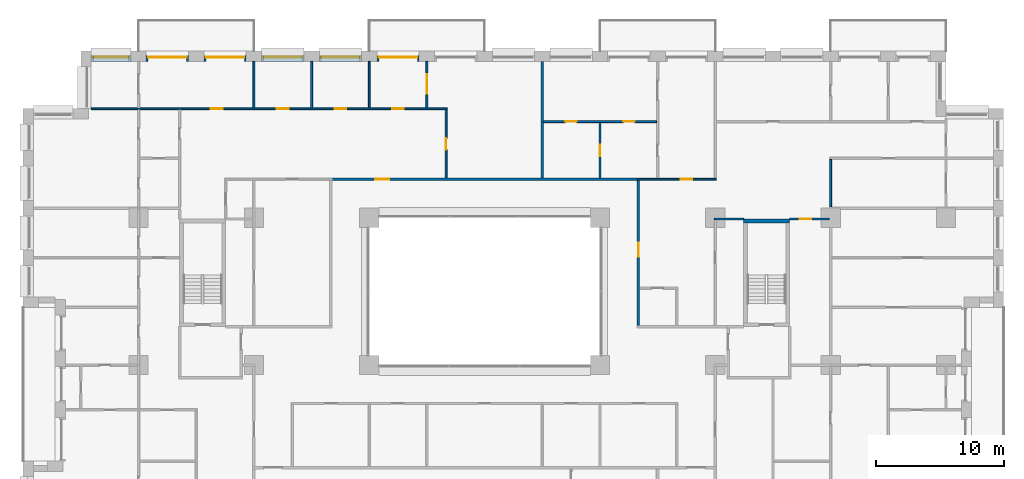
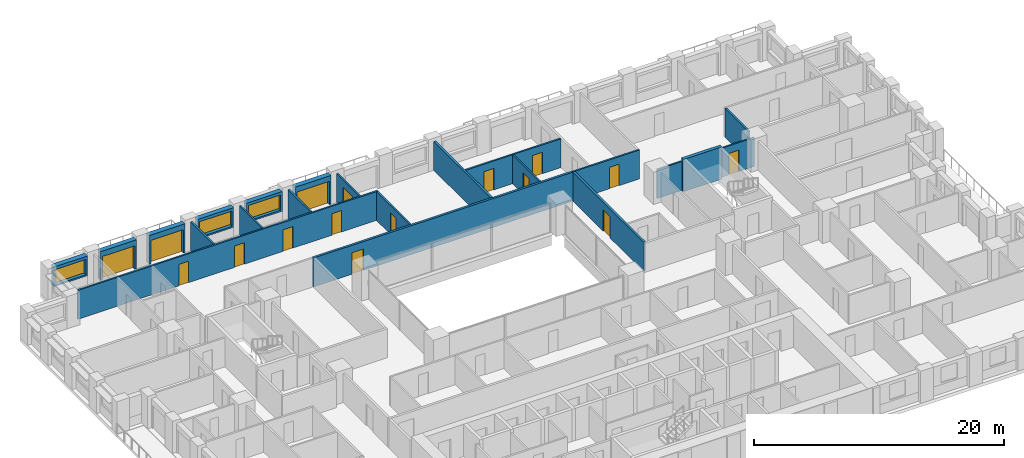
# One storey, part 15 of 20: 22 walls, 16 doors, 3 windows, 19 openings.
"""IFC4 building model written with IfcOpenShell, lengths in metres."""

from ifc_helpers import new_model, si_unit, direction, frame, frame_2d, origin, place, context, subcontext, project, spatial, rectangle, extrude, material, layer, layer_set, type_object, element, fill, save


model = new_model("IFC4")

# Units and contexts
model_context = context("Model", 3, precision=1e-05, world=origin(), true_north=direction((0.0, 1.0)))
body_context = subcontext(model_context, "Body", "Model", "MODEL_VIEW")
ifc_project = project(units=[si_unit("LENGTHUNIT", "METRE"), si_unit("AREAUNIT", "SQUARE_METRE"), si_unit("VOLUMEUNIT", "CUBIC_METRE"), si_unit("PLANEANGLEUNIT", "RADIAN"), si_unit("MASSUNIT", "GRAM", prefix="KILO")], contexts=[model_context])

# Site, building, storey
site_placement = place(None, origin())
site = spatial("IfcSite", under=ifc_project, at=site_placement, CompositionType="ELEMENT")
building_placement = place(site_placement, origin())
building = spatial("IfcBuilding", under=site, at=building_placement, Name="Brigalow Station Residences", CompositionType="ELEMENT")
storey_placement = place(building_placement, frame((0.0, 0.0, 38.39990234375)))
storey = spatial("IfcBuildingStorey", under=building, at=storey_placement, Name="L10", CompositionType="ELEMENT", Elevation=38.39990234375)

# Wall, opening, door
ifc_material_1 = material(Name="Clay brick masonry", Category="masonry")
ifc_layer_1 = layer(ifc_material_1, 0.449951171875)
ifc_layer_set_1 = layer_set([ifc_layer_1], Name="BRICK INFILL WALL 450")
wall_type_1 = type_object("IfcWallType", Name="BRICK INFILL WALL 450", PredefinedType="SOLIDWALL", material=ifc_layer_set_1)
wall_1_placement = place(storey_placement, frame((30.89990234375, 47.925048828125, 0.0), z_axis=(0.0, 0.0, 1.0), x_axis=(-1.0, 0.0, 0.0)))
wall_1 = element("IfcWall", 1, at=wall_1_placement, inside=storey, type_object=wall_type_1, Name="L10/ewall/W-L10-34", PredefinedType="SOLIDWALL", context=body_context, shape_type="SweptSolid", body=[
    extrude(rectangle(XDim=3.2998046875, YDim=0.449951171875, at=frame_2d((1.64990234375, 0.0))), origin(), (0.0, 0.0, 1.0), 2.830078125),
])
opening_1_placement = place(wall_1_placement, frame((0.14990234375, 0.0, 0.0)))
opening_1 = element("IfcOpeningElement", 2, at=opening_1_placement, cuts=wall_1, Name="Opening D-B3000", PredefinedType="OPENING", context=body_context, shape_type="SweptSolid", body=[
    extrude(rectangle(XDim=3.0, YDim=2.300048828125, at=frame_2d((1.5, 1.14990234375))), frame((0.0, 0.23486328125, 0.0), z_axis=(0.0, -1.0, 0.0), x_axis=(1.0, 0.0, 0.0)), (0.0, 0.0, 1.0), 0.469970703125),
])
ifc_material_2 = material(Name="Anodised aluminium frame with double glazing", Category="aluminium")
door_type_1 = type_object("IfcDoorType", Name="BALCONY SLIDING DOOR 3000x2300", OperationType="SLIDING_TO_LEFT", PredefinedType="DOOR", material=ifc_material_2)
door_1_placement = place(opening_1_placement, origin())
door_1 = element("IfcDoor", 3, at=door_1_placement, inside=storey, type_object=door_type_1, Name="L10/balcony-door/W-L10-34", OperationType="SLIDING_TO_LEFT", OverallHeight=2.300048828125, OverallWidth=3.0, PredefinedType="DOOR", context=body_context, shape_type="SweptSolid", body=[
    extrude(rectangle(XDim=3.0, YDim=2.300048828125, at=frame_2d((1.5, 1.14990234375))), frame((0.0, -0.06982421875, 0.0), z_axis=(0.0, -1.0, 0.0), x_axis=(1.0, 0.0, 0.0)), (0.0, 0.0, 1.0), 0.050048828125),
])
fill(opening_1, door_1)

# Wall, opening, window
wall_2_placement = place(storey_placement, frame((26.39990234375, 47.925048828125, 0.900146484375), z_axis=(0.0, 0.0, 1.0), x_axis=(-1.0, 0.0, 0.0)))
wall_2 = element("IfcWall", 4, at=wall_2_placement, inside=storey, type_object=wall_type_1, Name="L10/ewall/W-L10-35", PredefinedType="SOLIDWALL", context=body_context, shape_type="SweptSolid", body=[
    extrude(rectangle(XDim=3.2998046875, YDim=0.449951171875, at=frame_2d((1.64990234375, 0.0))), origin(), (0.0, 0.0, 1.0), 1.929931640625),
])
opening_2_placement = place(wall_2_placement, frame((0.14990234375, 0.0, 0.14990234375)))
opening_2 = element("IfcOpeningElement", 5, at=opening_2_placement, cuts=wall_2, Name="Opening WT-2", PredefinedType="OPENING", context=body_context, shape_type="SweptSolid", body=[
    extrude(rectangle(XDim=3.0, YDim=1.5, at=frame_2d((1.5, 0.75))), frame((0.0, 0.23486328125, 0.0), z_axis=(0.0, -1.0, 0.0), x_axis=(1.0, 0.0, 0.0)), (0.0, 0.0, 1.0), 0.469970703125),
])
ifc_material_3 = material(Name="Anodised aluminium frame with double glazing", Category="aluminium")
window_type_1 = type_object("IfcWindowType", Name="WINDOW 3000x1500", PartitioningType="SINGLE_PANEL", PredefinedType="WINDOW", material=ifc_material_3)
window_1_placement = place(opening_2_placement, origin())
window_1 = element("IfcWindow", 6, at=window_1_placement, inside=storey, type_object=window_type_1, Name="L10/window/W-L10-35", OverallHeight=1.5, OverallWidth=3.0, PartitioningType="SINGLE_PANEL", PredefinedType="WINDOW", context=body_context, shape_type="SweptSolid", body=[
    extrude(rectangle(XDim=3.0, YDim=1.5, at=frame_2d((1.5, 0.75))), frame((0.0, -0.06494140625, 0.0), z_axis=(0.0, -1.0, 0.0), x_axis=(1.0, 0.0, 0.0)), (0.0, 0.0, 1.0), 0.06005859375),
])
fill(opening_2, window_1)

wall_3_placement = place(storey_placement, frame((21.89990234375, 47.925048828125, 0.900146484375), z_axis=(0.0, 0.0, 1.0), x_axis=(-1.0, 0.0, 0.0)))
wall_3 = element("IfcWall", 7, at=wall_3_placement, inside=storey, type_object=wall_type_1, Name="L10/ewall/W-L10-36", PredefinedType="SOLIDWALL", context=body_context, shape_type="SweptSolid", body=[
    extrude(rectangle(XDim=3.2998046875, YDim=0.449951171875, at=frame_2d((1.64990234375, 0.0))), origin(), (0.0, 0.0, 1.0), 1.929931640625),
])
opening_3_placement = place(wall_3_placement, frame((0.14990234375, 0.0, 0.14990234375)))
opening_3 = element("IfcOpeningElement", 8, at=opening_3_placement, cuts=wall_3, Name="Opening WT-2", PredefinedType="OPENING", context=body_context, shape_type="SweptSolid", body=[
    extrude(rectangle(XDim=3.0, YDim=1.5, at=frame_2d((1.5, 0.75))), frame((0.0, 0.23486328125, 0.0), z_axis=(0.0, -1.0, 0.0), x_axis=(1.0, 0.0, 0.0)), (0.0, 0.0, 1.0), 0.469970703125),
])
window_2_placement = place(opening_3_placement, origin())
window_2 = element("IfcWindow", 9, at=window_2_placement, inside=storey, type_object=window_type_1, Name="L10/window/W-L10-36", OverallHeight=1.5, OverallWidth=3.0, PartitioningType="SINGLE_PANEL", PredefinedType="WINDOW", context=body_context, shape_type="SweptSolid", body=[
    extrude(rectangle(XDim=3.0, YDim=1.5, at=frame_2d((1.5, 0.75))), frame((0.0, -0.06494140625, 0.0), z_axis=(0.0, -1.0, 0.0), x_axis=(1.0, 0.0, 0.0)), (0.0, 0.0, 1.0), 0.06005859375),
])
fill(opening_3, window_2)

# Wall, opening, door
wall_4_placement = place(storey_placement, frame((17.39990234375, 47.925048828125, 0.0), z_axis=(0.0, 0.0, 1.0), x_axis=(-1.0, 0.0, 0.0)))
wall_4 = element("IfcWall", 10, at=wall_4_placement, inside=storey, type_object=wall_type_1, Name="L10/ewall/W-L10-37", PredefinedType="SOLIDWALL", context=body_context, shape_type="SweptSolid", body=[
    extrude(rectangle(XDim=3.2998046875, YDim=0.449951171875, at=frame_2d((1.64990234375, 0.0))), origin(), (0.0, 0.0, 1.0), 2.830078125),
])
opening_4_placement = place(wall_4_placement, frame((0.14990234375, 0.0, 0.0)))
opening_4 = element("IfcOpeningElement", 11, at=opening_4_placement, cuts=wall_4, Name="Opening D-B3000", PredefinedType="OPENING", context=body_context, shape_type="SweptSolid", body=[
    extrude(rectangle(XDim=3.0, YDim=2.300048828125, at=frame_2d((1.5, 1.14990234375))), frame((0.0, 0.23486328125, 0.0), z_axis=(0.0, -1.0, 0.0), x_axis=(1.0, 0.0, 0.0)), (0.0, 0.0, 1.0), 0.469970703125),
])
door_2_placement = place(opening_4_placement, origin())
door_2 = element("IfcDoor", 12, at=door_2_placement, inside=storey, type_object=door_type_1, Name="L10/balcony-door/W-L10-37", OperationType="SLIDING_TO_LEFT", OverallHeight=2.300048828125, OverallWidth=3.0, PredefinedType="DOOR", context=body_context, shape_type="SweptSolid", body=[
    extrude(rectangle(XDim=3.0, YDim=2.300048828125, at=frame_2d((1.5, 1.14990234375))), frame((0.0, -0.06982421875, 0.0), z_axis=(0.0, -1.0, 0.0), x_axis=(1.0, 0.0, 0.0)), (0.0, 0.0, 1.0), 0.050048828125),
])
fill(opening_4, door_2)

wall_5_placement = place(storey_placement, frame((12.89990234375, 47.925048828125, 0.0), z_axis=(0.0, 0.0, 1.0), x_axis=(-1.0, 0.0, 0.0)))
wall_5 = element("IfcWall", 13, at=wall_5_placement, inside=storey, type_object=wall_type_1, Name="L10/ewall/W-L10-38", PredefinedType="SOLIDWALL", context=body_context, shape_type="SweptSolid", body=[
    extrude(rectangle(XDim=3.2998046875, YDim=0.449951171875, at=frame_2d((1.64990234375, 0.0))), origin(), (0.0, 0.0, 1.0), 2.830078125),
])
opening_5_placement = place(wall_5_placement, frame((0.14990234375, 0.0, 0.0)))
opening_5 = element("IfcOpeningElement", 14, at=opening_5_placement, cuts=wall_5, Name="Opening D-B3000", PredefinedType="OPENING", context=body_context, shape_type="SweptSolid", body=[
    extrude(rectangle(XDim=3.0, YDim=2.300048828125, at=frame_2d((1.5, 1.14990234375))), frame((0.0, 0.23486328125, 0.0), z_axis=(0.0, -1.0, 0.0), x_axis=(1.0, 0.0, 0.0)), (0.0, 0.0, 1.0), 0.469970703125),
])
door_3_placement = place(opening_5_placement, origin())
door_3 = element("IfcDoor", 15, at=door_3_placement, inside=storey, type_object=door_type_1, Name="L10/balcony-door/W-L10-38", OperationType="SLIDING_TO_LEFT", OverallHeight=2.300048828125, OverallWidth=3.0, PredefinedType="DOOR", context=body_context, shape_type="SweptSolid", body=[
    extrude(rectangle(XDim=3.0, YDim=2.300048828125, at=frame_2d((1.5, 1.14990234375))), frame((0.0, -0.06982421875, 0.0), z_axis=(0.0, -1.0, 0.0), x_axis=(1.0, 0.0, 0.0)), (0.0, 0.0, 1.0), 0.050048828125),
])
fill(opening_5, door_3)

# Wall, opening, window
wall_6_placement = place(storey_placement, frame((8.39990234375, 47.925048828125, 0.900146484375), z_axis=(0.0, 0.0, 1.0), x_axis=(-1.0, 0.0, 0.0)))
wall_6 = element("IfcWall", 16, at=wall_6_placement, inside=storey, type_object=wall_type_1, Name="L10/ewall/W-L10-39", PredefinedType="SOLIDWALL", context=body_context, shape_type="SweptSolid", body=[
    extrude(rectangle(XDim=3.099853515625, YDim=0.449951171875, at=frame_2d((1.5498046875, 0.0))), origin(), (0.0, 0.0, 1.0), 1.929931640625),
])
opening_6_placement = place(wall_6_placement, frame((0.175048828125, 0.0, 0.14990234375)))
opening_6 = element("IfcOpeningElement", 17, at=opening_6_placement, cuts=wall_6, Name="Opening WT-3", PredefinedType="OPENING", context=body_context, shape_type="SweptSolid", body=[
    extrude(rectangle(XDim=2.75, YDim=1.5, at=frame_2d((1.375, 0.75))), frame((0.0, 0.23486328125, 0.0), z_axis=(0.0, -1.0, 0.0), x_axis=(1.0, 0.0, 0.0)), (0.0, 0.0, 1.0), 0.469970703125),
])
ifc_material_4 = material(Name="Anodised aluminium frame with double glazing", Category="aluminium")
window_type_2 = type_object("IfcWindowType", Name="WINDOW 2750x1500", PartitioningType="SINGLE_PANEL", PredefinedType="WINDOW", material=ifc_material_4)
window_3_placement = place(opening_6_placement, origin())
window_3 = element("IfcWindow", 18, at=window_3_placement, inside=storey, type_object=window_type_2, Name="L10/window/W-L10-39", OverallHeight=1.5, OverallWidth=2.75, PartitioningType="SINGLE_PANEL", PredefinedType="WINDOW", context=body_context, shape_type="SweptSolid", body=[
    extrude(rectangle(XDim=2.75, YDim=1.5, at=frame_2d((1.375, 0.75))), frame((0.0, -0.06494140625, 0.0), z_axis=(0.0, -1.0, 0.0), x_axis=(1.0, 0.0, 0.0)), (0.0, 0.0, 1.0), 0.06005859375),
])
fill(opening_6, window_3)

# Wall
ifc_material_5 = material(Name="Concrete C80", Category="concrete")
ifc_layer_2 = layer(ifc_material_5, 0.300048828125)
ifc_layer_set_2 = layer_set([ifc_layer_2], Name="CORE SHEAR WALL 300 C80")
wall_type_2 = type_object("IfcWallType", Name="CORE SHEAR WALL 300 C80", PredefinedType="SHEAR", material=ifc_layer_set_2)
wall_7_placement = place(storey_placement, frame((56.199951171875, 35.25, 0.0), z_axis=(0.0, 0.0, 1.0), x_axis=(1.0, 0.0, 0.0)))
element("IfcWall", 19, at=wall_7_placement, inside=storey, type_object=wall_type_2, Name="CORE WALL ST-S3-N L10", PredefinedType="SHEAR", context=body_context, shape_type="SweptSolid", body=[
    extrude(rectangle(XDim=3.60009765625, YDim=0.300048828125, at=frame_2d((1.800048828125, 0.0))), origin(), (0.0, 0.0, 1.0), 3.150146484375),
])

# Wall, opening, door
ifc_material_6 = material(Name="Plasterboard on steel stud partition", Category="steel")
ifc_layer_3 = layer(ifc_material_6, 0.14990234375)
ifc_layer_set_3 = layer_set([ifc_layer_3], Name="FLAT PARTITION 150")
wall_type_3 = type_object("IfcWallType", Name="FLAT PARTITION 150", PredefinedType="PARTITIONING", material=ifc_layer_set_3)
wall_8_placement = place(storey_placement, frame((47.89990234375, 38.5, 0.0), z_axis=(0.0, 0.0, 1.0), x_axis=(1.0, 0.0, 0.0)))
wall_8 = element("IfcWall", 20, at=wall_8_placement, inside=storey, type_object=wall_type_3, Name="PW-1C10", PredefinedType="PARTITIONING", context=body_context, shape_type="SweptSolid", body=[
    extrude(rectangle(XDim=6.175048828125, YDim=0.14990234375, at=frame_2d((3.08740234375, 0.0))), origin(), (0.0, 0.0, 1.0), 2.830078125),
])
opening_7_placement = place(wall_8_placement, frame((3.39990234375, 0.0, 0.0)))
opening_7 = element("IfcOpeningElement", 21, at=opening_7_placement, cuts=wall_8, Name="Opening D-1C39", PredefinedType="OPENING", context=body_context, shape_type="SweptSolid", body=[
    extrude(rectangle(XDim=0.89990234375, YDim=2.10009765625, at=frame_2d((0.449951171875, 1.050048828125))), frame((0.0, 0.0849609375, 0.0), z_axis=(0.0, -1.0, 0.0), x_axis=(1.0, 0.0, 0.0)), (0.0, 0.0, 1.0), 0.169921875),
])
ifc_material_7 = material(Name="Solid-core timber door leaf", Category="wood")
door_type_2 = type_object("IfcDoorType", Name="INTERNAL DOOR 900 x 2100", OperationType="SINGLE_SWING_LEFT", PredefinedType="DOOR", material=ifc_material_7)
door_4_placement = place(opening_7_placement, origin())
door_4 = element("IfcDoor", 22, at=door_4_placement, inside=storey, type_object=door_type_2, Name="D-1C39", OperationType="SINGLE_SWING_RIGHT", OverallHeight=2.10009765625, OverallWidth=0.89990234375, PredefinedType="DOOR", context=body_context, shape_type="SweptSolid", body=[
    extrude(rectangle(XDim=0.89990234375, YDim=2.10009765625, at=frame_2d((0.449951171875, 1.050048828125))), frame((0.0, 0.02490234375, 0.0), z_axis=(0.0, -1.0, 0.0), x_axis=(1.0, 0.0, 0.0)), (0.0, 0.0, 1.0), 0.050048828125),
])
fill(opening_7, door_4)

# Wall, openings, doors
wall_9_placement = place(storey_placement, frame((5.300048828125, 44.0, 0.0), z_axis=(0.0, 0.0, 1.0), x_axis=(1.0, 0.0, 0.0)))
wall_9 = element("IfcWall", 23, at=wall_9_placement, inside=storey, type_object=wall_type_3, Name="PW-1C27", PredefinedType="PARTITIONING", context=body_context, shape_type="SweptSolid", body=[
    extrude(rectangle(XDim=27.77490234375, YDim=0.14990234375, at=frame_2d((13.887451171875, 0.0))), origin(), (0.0, 0.0, 1.0), 2.830078125),
])
opening_8_placement = place(wall_9_placement, frame((14.5, 0.0, 0.0)))
opening_8 = element("IfcOpeningElement", 24, at=opening_8_placement, cuts=wall_9, Name="Opening D-1C18", PredefinedType="OPENING", context=body_context, shape_type="SweptSolid", body=[
    extrude(rectangle(XDim=0.89990234375, YDim=2.10009765625, at=frame_2d((0.449951171875, 1.050048828125))), frame((0.0, 0.0849609375, 0.0), z_axis=(0.0, -1.0, 0.0), x_axis=(1.0, 0.0, 0.0)), (0.0, 0.0, 1.0), 0.169921875),
])
opening_9_placement = place(wall_9_placement, frame((19.0, 0.0, 0.0)))
opening_9 = element("IfcOpeningElement", 25, at=opening_9_placement, cuts=wall_9, Name="Opening D-1C19", PredefinedType="OPENING", context=body_context, shape_type="SweptSolid", body=[
    extrude(rectangle(XDim=0.89990234375, YDim=2.10009765625, at=frame_2d((0.449951171875, 1.050048828125))), frame((0.0, 0.0849609375, 0.0), z_axis=(0.0, -1.0, 0.0), x_axis=(1.0, 0.0, 0.0)), (0.0, 0.0, 1.0), 0.169921875),
])
opening_10_placement = place(wall_9_placement, frame((9.35009765625, 0.0, 0.0)))
opening_10 = element("IfcOpeningElement", 26, at=opening_10_placement, cuts=wall_9, Name="Opening D-1C20", PredefinedType="OPENING", context=body_context, shape_type="SweptSolid", body=[
    extrude(rectangle(XDim=0.89990234375, YDim=2.10009765625, at=frame_2d((0.449951171875, 1.050048828125))), frame((0.0, 0.0849609375, 0.0), z_axis=(0.0, -1.0, 0.0), x_axis=(1.0, 0.0, 0.0)), (0.0, 0.0, 1.0), 0.169921875),
])
opening_11_placement = place(wall_9_placement, frame((23.5, 0.0, 0.0)))
opening_11 = element("IfcOpeningElement", 27, at=opening_11_placement, cuts=wall_9, Name="Opening D-1C29", PredefinedType="OPENING", context=body_context, shape_type="SweptSolid", body=[
    extrude(rectangle(XDim=0.89990234375, YDim=2.10009765625, at=frame_2d((0.449951171875, 1.050048828125))), frame((0.0, 0.0849609375, 0.0), z_axis=(0.0, -1.0, 0.0), x_axis=(1.0, 0.0, 0.0)), (0.0, 0.0, 1.0), 0.169921875),
])
door_5_placement = place(opening_8_placement, origin())
door_5 = element("IfcDoor", 28, at=door_5_placement, inside=storey, type_object=door_type_2, Name="D-1C18", OperationType="SINGLE_SWING_LEFT", OverallHeight=2.10009765625, OverallWidth=0.89990234375, PredefinedType="DOOR", context=body_context, shape_type="SweptSolid", body=[
    extrude(rectangle(XDim=0.89990234375, YDim=2.10009765625, at=frame_2d((0.449951171875, 1.050048828125))), frame((0.0, 0.02490234375, 0.0), z_axis=(0.0, -1.0, 0.0), x_axis=(1.0, 0.0, 0.0)), (0.0, 0.0, 1.0), 0.050048828125),
])
fill(opening_8, door_5)
door_6_placement = place(opening_9_placement, origin())
door_6 = element("IfcDoor", 29, at=door_6_placement, inside=storey, type_object=door_type_2, Name="D-1C19", OperationType="SINGLE_SWING_RIGHT", OverallHeight=2.10009765625, OverallWidth=0.89990234375, PredefinedType="DOOR", context=body_context, shape_type="SweptSolid", body=[
    extrude(rectangle(XDim=0.89990234375, YDim=2.10009765625, at=frame_2d((0.449951171875, 1.050048828125))), frame((0.0, 0.02490234375, 0.0), z_axis=(0.0, -1.0, 0.0), x_axis=(1.0, 0.0, 0.0)), (0.0, 0.0, 1.0), 0.050048828125),
])
fill(opening_9, door_6)
door_7_placement = place(opening_10_placement, origin())
door_7 = element("IfcDoor", 30, at=door_7_placement, inside=storey, type_object=door_type_2, Name="D-1C20", OperationType="SINGLE_SWING_RIGHT", OverallHeight=2.10009765625, OverallWidth=0.89990234375, PredefinedType="DOOR", context=body_context, shape_type="SweptSolid", body=[
    extrude(rectangle(XDim=0.89990234375, YDim=2.10009765625, at=frame_2d((0.449951171875, 1.050048828125))), frame((0.0, 0.02490234375, 0.0), z_axis=(0.0, -1.0, 0.0), x_axis=(1.0, 0.0, 0.0)), (0.0, 0.0, 1.0), 0.050048828125),
])
fill(opening_10, door_7)
door_8_placement = place(opening_11_placement, origin())
door_8 = element("IfcDoor", 31, at=door_8_placement, inside=storey, type_object=door_type_2, Name="D-1C29", OperationType="SINGLE_SWING_RIGHT", OverallHeight=2.10009765625, OverallWidth=0.89990234375, PredefinedType="DOOR", context=body_context, shape_type="SweptSolid", body=[
    extrude(rectangle(XDim=0.89990234375, YDim=2.10009765625, at=frame_2d((0.449951171875, 1.050048828125))), frame((0.0, 0.02490234375, 0.0), z_axis=(0.0, -1.0, 0.0), x_axis=(1.0, 0.0, 0.0)), (0.0, 0.0, 1.0), 0.050048828125),
])
fill(opening_11, door_8)

# Wall
wall_10_placement = place(storey_placement, frame((53.925048828125, 35.39990234375, 0.0), z_axis=(0.0, 0.0, 1.0), x_axis=(1.0, 0.0, 0.0)))
element("IfcWall", 32, at=wall_10_placement, inside=storey, type_object=wall_type_3, Name="PW-1C30", PredefinedType="PARTITIONING", context=body_context, shape_type="SweptSolid", body=[
    extrude(rectangle(XDim=2.27490234375, YDim=0.14990234375, at=frame_2d((1.137451171875, 0.0))), origin(), (0.0, 0.0, 1.0), 2.830078125),
])

# Wall, opening, door
wall_11_placement = place(storey_placement, frame((59.800048828125, 35.39990234375, 0.0), z_axis=(0.0, 0.0, 1.0), x_axis=(1.0, 0.0, 0.0)))
wall_11 = element("IfcWall", 33, at=wall_11_placement, inside=storey, type_object=wall_type_3, Name="PW-1C31", PredefinedType="PARTITIONING", context=body_context, shape_type="SweptSolid", body=[
    extrude(rectangle(XDim=3.099853515625, YDim=0.14990234375, at=frame_2d((1.5498046875, 0.0))), origin(), (0.0, 0.0, 1.0), 2.830078125),
])
opening_12_placement = place(wall_11_placement, frame((0.77490234375, 0.0, 0.0)))
opening_12 = element("IfcOpeningElement", 34, at=opening_12_placement, cuts=wall_11, Name="Opening D-1C44", PredefinedType="OPENING", context=body_context, shape_type="SweptSolid", body=[
    extrude(rectangle(XDim=0.89990234375, YDim=2.10009765625, at=frame_2d((0.449951171875, 1.050048828125))), frame((0.0, 0.0849609375, 0.0), z_axis=(0.0, -1.0, 0.0), x_axis=(1.0, 0.0, 0.0)), (0.0, 0.0, 1.0), 0.169921875),
])
door_9_placement = place(opening_12_placement, frame((0.89990234375, 0.0, 0.0), z_axis=(0.0, 0.0, 1.0), x_axis=(-1.0, 0.0, 0.0)))
door_9 = element("IfcDoor", 35, at=door_9_placement, inside=storey, type_object=door_type_2, Name="D-1C44", OperationType="SINGLE_SWING_RIGHT", OverallHeight=2.10009765625, OverallWidth=0.89990234375, PredefinedType="DOOR", context=body_context, shape_type="SweptSolid", body=[
    extrude(rectangle(XDim=0.89990234375, YDim=2.10009765625, at=frame_2d((0.449951171875, 1.050048828125))), frame((0.0, 0.02490234375, 0.0), z_axis=(0.0, -1.0, 0.0), x_axis=(1.0, 0.0, 0.0)), (0.0, 0.0, 1.0), 0.050048828125),
])
fill(opening_12, door_9)

# Wall, openings, doors
wall_12_placement = place(storey_placement, frame((40.60009765625, 43.0, 0.0), z_axis=(0.0, 0.0, 1.0), x_axis=(1.0, 0.0, 0.0)))
wall_12 = element("IfcWall", 36, at=wall_12_placement, inside=storey, type_object=wall_type_3, Name="PW-1C35", PredefinedType="PARTITIONING", context=body_context, shape_type="SweptSolid", body=[
    extrude(rectangle(XDim=8.824951171875, YDim=0.14990234375, at=frame_2d((4.41259765625, 0.0))), origin(), (0.0, 0.0, 1.0), 2.830078125),
])
opening_13_placement = place(wall_12_placement, frame((1.699951171875, 0.0, 0.0)))
opening_13 = element("IfcOpeningElement", 37, at=opening_13_placement, cuts=wall_12, Name="Opening D-1C35", PredefinedType="OPENING", context=body_context, shape_type="SweptSolid", body=[
    extrude(rectangle(XDim=0.89990234375, YDim=2.10009765625, at=frame_2d((0.449951171875, 1.050048828125))), frame((0.0, 0.0849609375, 0.0), z_axis=(0.0, -1.0, 0.0), x_axis=(1.0, 0.0, 0.0)), (0.0, 0.0, 1.0), 0.169921875),
])
opening_14_placement = place(wall_12_placement, frame((6.199951171875, 0.0, 0.0)))
opening_14 = element("IfcOpeningElement", 38, at=opening_14_placement, cuts=wall_12, Name="Opening D-1C37", PredefinedType="OPENING", context=body_context, shape_type="SweptSolid", body=[
    extrude(rectangle(XDim=0.89990234375, YDim=2.10009765625, at=frame_2d((0.449951171875, 1.050048828125))), frame((0.0, 0.0849609375, 0.0), z_axis=(0.0, -1.0, 0.0), x_axis=(1.0, 0.0, 0.0)), (0.0, 0.0, 1.0), 0.169921875),
])
door_10_placement = place(opening_13_placement, frame((0.89990234375, 0.0, 0.0), z_axis=(0.0, 0.0, 1.0), x_axis=(-1.0, 0.0, 0.0)))
door_10 = element("IfcDoor", 39, at=door_10_placement, inside=storey, type_object=door_type_2, Name="D-1C35", OperationType="SINGLE_SWING_RIGHT", OverallHeight=2.10009765625, OverallWidth=0.89990234375, PredefinedType="DOOR", context=body_context, shape_type="SweptSolid", body=[
    extrude(rectangle(XDim=0.89990234375, YDim=2.10009765625, at=frame_2d((0.449951171875, 1.050048828125))), frame((0.0, 0.02490234375, 0.0), z_axis=(0.0, -1.0, 0.0), x_axis=(1.0, 0.0, 0.0)), (0.0, 0.0, 1.0), 0.050048828125),
])
fill(opening_13, door_10)
door_11_placement = place(opening_14_placement, frame((0.89990234375, 0.0, 0.0), z_axis=(0.0, 0.0, 1.0), x_axis=(-1.0, 0.0, 0.0)))
door_11 = element("IfcDoor", 40, at=door_11_placement, inside=storey, type_object=door_type_2, Name="D-1C37", OperationType="SINGLE_SWING_RIGHT", OverallHeight=2.10009765625, OverallWidth=0.89990234375, PredefinedType="DOOR", context=body_context, shape_type="SweptSolid", body=[
    extrude(rectangle(XDim=0.89990234375, YDim=2.10009765625, at=frame_2d((0.449951171875, 1.050048828125))), frame((0.0, 0.02490234375, 0.0), z_axis=(0.0, -1.0, 0.0), x_axis=(1.0, 0.0, 0.0)), (0.0, 0.0, 1.0), 0.050048828125),
])
fill(opening_14, door_11)

# Wall
wall_13_placement = place(storey_placement, frame((18.0, 44.074951171875, 0.0), z_axis=(0.0, 0.0, 1.0), x_axis=(0.0, 1.0, 0.0)))
element("IfcWall", 41, at=wall_13_placement, inside=storey, type_object=wall_type_3, Name="PW-1C39", PredefinedType="PARTITIONING", context=body_context, shape_type="SweptSolid", body=[
    extrude(rectangle(XDim=3.625, YDim=0.14990234375, at=frame_2d((1.8125, 0.0))), origin(), (0.0, 0.0, 1.0), 2.830078125),
])

# Wall, opening, door
wall_14_placement = place(storey_placement, frame((33.0, 38.60009765625, 0.0), z_axis=(0.0, 0.0, 1.0), x_axis=(0.0, 1.0, 0.0)))
wall_14 = element("IfcWall", 42, at=wall_14_placement, inside=storey, type_object=wall_type_3, Name="PW-1C60", PredefinedType="PARTITIONING", context=body_context, shape_type="SweptSolid", body=[
    extrude(rectangle(XDim=5.324951171875, YDim=0.14990234375, at=frame_2d((2.66259765625, 0.0))), origin(), (0.0, 0.0, 1.0), 2.830078125),
])
opening_15_placement = place(wall_14_placement, frame((2.199951171875, 0.0, 0.0)))
opening_15 = element("IfcOpeningElement", 43, at=opening_15_placement, cuts=wall_14, Name="Opening D-1C26", PredefinedType="OPENING", context=body_context, shape_type="SweptSolid", body=[
    extrude(rectangle(XDim=0.89990234375, YDim=2.10009765625, at=frame_2d((0.449951171875, 1.050048828125))), frame((0.0, 0.0849609375, 0.0), z_axis=(0.0, -1.0, 0.0), x_axis=(1.0, 0.0, 0.0)), (0.0, 0.0, 1.0), 0.169921875),
])
door_12_placement = place(opening_15_placement, frame((0.89990234375, 0.0, 0.0), z_axis=(0.0, 0.0, 1.0), x_axis=(-1.0, 0.0, 0.0)))
door_12 = element("IfcDoor", 44, at=door_12_placement, inside=storey, type_object=door_type_2, Name="D-1C26", OperationType="SINGLE_SWING_RIGHT", OverallHeight=2.10009765625, OverallWidth=0.89990234375, PredefinedType="DOOR", context=body_context, shape_type="SweptSolid", body=[
    extrude(rectangle(XDim=0.89990234375, YDim=2.10009765625, at=frame_2d((0.449951171875, 1.050048828125))), frame((0.0, 0.02490234375, 0.0), z_axis=(0.0, -1.0, 0.0), x_axis=(1.0, 0.0, 0.0)), (0.0, 0.0, 1.0), 0.050048828125),
])
fill(opening_15, door_12)

# Walls
for number, where, z_axis, x_axis, name in (
    (45, (22.5, 44.074951171875, 0.0), (0.0, 0.0, 1.0), (0.0, 1.0, 0.0), "PW-1C62"),
    (46, (27.0, 44.074951171875, 0.0), (0.0, 0.0, 1.0), (0.0, 1.0, 0.0), "PW-1C64"),
):
    element("IfcWall", number, at=place(storey_placement, frame(where, z_axis=z_axis, x_axis=x_axis)), inside=storey, type_object=wall_type_3, Name=name, PredefinedType="PARTITIONING", context=body_context, shape_type="SweptSolid", body=[
        extrude(rectangle(XDim=3.625, YDim=0.14990234375, at=frame_2d((1.8125, 0.0))), origin(), (0.0, 0.0, 1.0), 2.830078125),
    ])

# Wall, opening, door
wall_15_placement = place(storey_placement, frame((31.5, 44.074951171875, 0.0), z_axis=(0.0, 0.0, 1.0), x_axis=(0.0, 1.0, 0.0)))
wall_15 = element("IfcWall", 47, at=wall_15_placement, inside=storey, type_object=wall_type_3, Name="PW-1C66", PredefinedType="PARTITIONING", context=body_context, shape_type="SweptSolid", body=[
    extrude(rectangle(XDim=3.625, YDim=0.14990234375, at=frame_2d((1.8125, 0.0))), origin(), (0.0, 0.0, 1.0), 2.830078125),
])
opening_16_placement = place(wall_15_placement, frame((1.10009765625, 0.0, 0.0)))
opening_16 = element("IfcOpeningElement", 48, at=opening_16_placement, cuts=wall_15, Name="Opening D-1C27", PredefinedType="OPENING", context=body_context, shape_type="SweptSolid", body=[
    extrude(rectangle(XDim=1.5, YDim=2.10009765625, at=frame_2d((0.75, 1.050048828125))), frame((0.0, 0.0849609375, 0.0), z_axis=(0.0, -1.0, 0.0), x_axis=(1.0, 0.0, 0.0)), (0.0, 0.0, 1.0), 0.169921875),
])
ifc_material_8 = material(Name="Solid-core timber door leaf", Category="wood")
door_type_3 = type_object("IfcDoorType", Name="INTERNAL DOUBLE DOOR 1500 x 2100", OperationType="DOUBLE_DOOR_SINGLE_SWING", PredefinedType="DOOR", material=ifc_material_8)
door_13_placement = place(opening_16_placement, origin())
door_13 = element("IfcDoor", 49, at=door_13_placement, inside=storey, type_object=door_type_3, Name="D-1C27", OperationType="DOUBLE_DOOR_SINGLE_SWING", OverallHeight=2.10009765625, OverallWidth=1.5, PredefinedType="DOOR", context=body_context, shape_type="SweptSolid", body=[
    extrude(rectangle(XDim=1.5, YDim=2.10009765625, at=frame_2d((0.75, 1.050048828125))), frame((0.0, 0.02490234375, 0.0), z_axis=(0.0, -1.0, 0.0), x_axis=(1.0, 0.0, 0.0)), (0.0, 0.0, 1.0), 0.050048828125),
])
fill(opening_16, door_13)

# Wall
wall_16_placement = place(storey_placement, frame((63.0, 36.35009765625, 0.0), z_axis=(0.0, 0.0, 1.0), x_axis=(0.0, 1.0, 0.0)))
element("IfcWall", 50, at=wall_16_placement, inside=storey, type_object=wall_type_3, Name="PW-1C71", PredefinedType="PARTITIONING", context=body_context, shape_type="SweptSolid", body=[
    extrude(rectangle(XDim=3.699951171875, YDim=0.14990234375, at=frame_2d((1.85009765625, 0.0))), origin(), (0.0, 0.0, 1.0), 2.830078125),
])

# Wall, opening, door
wall_17_placement = place(storey_placement, frame((45.0, 38.60009765625, 0.0), z_axis=(0.0, 0.0, 1.0), x_axis=(0.0, 1.0, 0.0)))
wall_17 = element("IfcWall", 51, at=wall_17_placement, inside=storey, type_object=wall_type_3, Name="PW-1C82", PredefinedType="PARTITIONING", context=body_context, shape_type="SweptSolid", body=[
    extrude(rectangle(XDim=4.324951171875, YDim=0.14990234375, at=frame_2d((2.16259765625, 0.0))), origin(), (0.0, 0.0, 1.0), 2.830078125),
])
opening_17_placement = place(wall_17_placement, frame((1.699951171875, 0.0, 0.0)))
opening_17 = element("IfcOpeningElement", 52, at=opening_17_placement, cuts=wall_17, Name="Opening D-1C46", PredefinedType="OPENING", context=body_context, shape_type="SweptSolid", body=[
    extrude(rectangle(XDim=0.89990234375, YDim=2.10009765625, at=frame_2d((0.449951171875, 1.050048828125))), frame((0.0, 0.0849609375, 0.0), z_axis=(0.0, -1.0, 0.0), x_axis=(1.0, 0.0, 0.0)), (0.0, 0.0, 1.0), 0.169921875),
])
door_14_placement = place(opening_17_placement, frame((0.89990234375, 0.0, 0.0), z_axis=(0.0, 0.0, 1.0), x_axis=(-1.0, 0.0, 0.0)))
door_14 = element("IfcDoor", 53, at=door_14_placement, inside=storey, type_object=door_type_2, Name="D-1C46", OperationType="SINGLE_SWING_RIGHT", OverallHeight=2.10009765625, OverallWidth=0.89990234375, PredefinedType="DOOR", context=body_context, shape_type="SweptSolid", body=[
    extrude(rectangle(XDim=0.89990234375, YDim=2.10009765625, at=frame_2d((0.449951171875, 1.050048828125))), frame((0.0, 0.02490234375, 0.0), z_axis=(0.0, -1.0, 0.0), x_axis=(1.0, 0.0, 0.0)), (0.0, 0.0, 1.0), 0.050048828125),
])
fill(opening_17, door_14)

ifc_material_9 = material(Name="Plasterboard on steel stud partition", Category="steel")
ifc_layer_4 = layer(ifc_material_9, 0.199951171875)
ifc_layer_set_4 = layer_set([ifc_layer_4], Name="PARTY AND CORRIDOR WALL 200")
wall_type_4 = type_object("IfcWallType", Name="PARTY AND CORRIDOR WALL 200", PredefinedType="PARTITIONING", material=ifc_layer_set_4)
wall_18_placement = place(storey_placement, frame((23.89990234375, 38.5, 0.0), z_axis=(0.0, 0.0, 1.0), x_axis=(1.0, 0.0, 0.0)))
wall_18 = element("IfcWall", 54, at=wall_18_placement, inside=storey, type_object=wall_type_4, Name="PW-1C11", PredefinedType="PARTITIONING", context=body_context, shape_type="SweptSolid", body=[
    extrude(rectangle(XDim=24.2001953125, YDim=0.199951171875, at=frame_2d((12.10009765625, 0.0))), origin(), (0.0, 0.0, 1.0), 2.830078125),
])
opening_18_placement = place(wall_18_placement, frame((3.550048828125, 0.0, 0.0)))
opening_18 = element("IfcOpeningElement", 55, at=opening_18_placement, cuts=wall_18, Name="Opening D-1C32", PredefinedType="OPENING", context=body_context, shape_type="SweptSolid", body=[
    extrude(rectangle(XDim=1.10009765625, YDim=2.10009765625, at=frame_2d((0.550048828125, 1.050048828125))), frame((0.0, 0.10986328125, 0.0), z_axis=(0.0, -1.0, 0.0), x_axis=(1.0, 0.0, 0.0)), (0.0, 0.0, 1.0), 0.219970703125),
])
ifc_material_10 = material(Name="Solid-core timber door leaf", Category="wood")
door_type_4 = type_object("IfcDoorType", Name="FLAT ENTRANCE DOOR 1100 x 2100 FRL -/60/30", OperationType="SINGLE_SWING_LEFT", PredefinedType="DOOR", material=ifc_material_10)
door_15_placement = place(opening_18_placement, origin())
door_15 = element("IfcDoor", 56, at=door_15_placement, inside=storey, type_object=door_type_4, Name="D-1C32", OperationType="SINGLE_SWING_RIGHT", OverallHeight=2.10009765625, OverallWidth=1.10009765625, PredefinedType="DOOR", context=body_context, shape_type="SweptSolid", body=[
    extrude(rectangle(XDim=1.10009765625, YDim=2.10009765625, at=frame_2d((0.550048828125, 1.050048828125))), frame((0.0, 0.02490234375, 0.0), z_axis=(0.0, -1.0, 0.0), x_axis=(1.0, 0.0, 0.0)), (0.0, 0.0, 1.0), 0.050048828125),
])
fill(opening_18, door_15)

wall_19_placement = place(storey_placement, frame((48.0, 27.10009765625, 0.0), z_axis=(0.0, 0.0, 1.0), x_axis=(0.0, 1.0, 0.0)))
wall_19 = element("IfcWall", 57, at=wall_19_placement, inside=storey, type_object=wall_type_4, Name="PW-1C48", PredefinedType="PARTITIONING", context=body_context, shape_type="SweptSolid", body=[
    extrude(rectangle(XDim=11.324951171875, YDim=0.199951171875, at=frame_2d((5.66259765625, 0.0))), origin(), (0.0, 0.0, 1.0), 2.830078125),
])
opening_19_placement = place(wall_19_placement, frame((5.35009765625, 0.0, 0.0)))
opening_19 = element("IfcOpeningElement", 58, at=opening_19_placement, cuts=wall_19, Name="Opening D-1C49", PredefinedType="OPENING", context=body_context, shape_type="SweptSolid", body=[
    extrude(rectangle(XDim=1.10009765625, YDim=2.10009765625, at=frame_2d((0.550048828125, 1.050048828125))), frame((0.0, 0.10986328125, 0.0), z_axis=(0.0, -1.0, 0.0), x_axis=(1.0, 0.0, 0.0)), (0.0, 0.0, 1.0), 0.219970703125),
])
door_16_placement = place(opening_19_placement, frame((1.10009765625, 0.0, 0.0), z_axis=(0.0, 0.0, 1.0), x_axis=(-1.0, 0.0, 0.0)))
door_16 = element("IfcDoor", 59, at=door_16_placement, inside=storey, type_object=door_type_4, Name="D-1C49", OperationType="SINGLE_SWING_RIGHT", OverallHeight=2.10009765625, OverallWidth=1.10009765625, PredefinedType="DOOR", context=body_context, shape_type="SweptSolid", body=[
    extrude(rectangle(XDim=1.10009765625, YDim=2.10009765625, at=frame_2d((0.550048828125, 1.050048828125))), frame((0.0, 0.02490234375, 0.0), z_axis=(0.0, -1.0, 0.0), x_axis=(1.0, 0.0, 0.0)), (0.0, 0.0, 1.0), 0.050048828125),
])
fill(opening_19, door_16)

# Wall
wall_20_placement = place(storey_placement, frame((40.5, 38.60009765625, 0.0), z_axis=(0.0, 0.0, 1.0), x_axis=(0.0, 1.0, 0.0)))
element("IfcWall", 60, at=wall_20_placement, inside=storey, type_object=wall_type_4, Name="PW-1C68", PredefinedType="PARTITIONING", context=body_context, shape_type="SweptSolid", body=[
    extrude(rectangle(XDim=9.099853515625, YDim=0.199951171875, at=frame_2d((4.5498046875, 0.0))), origin(), (0.0, 0.0, 1.0), 2.830078125),
])

save(model, "model.ifc")
